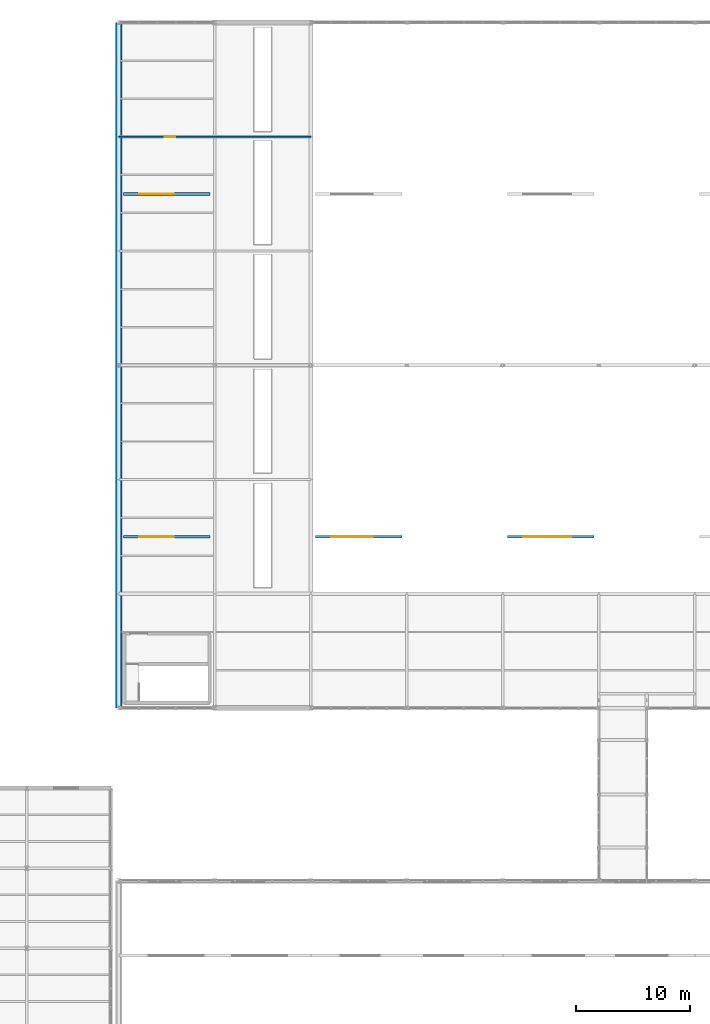
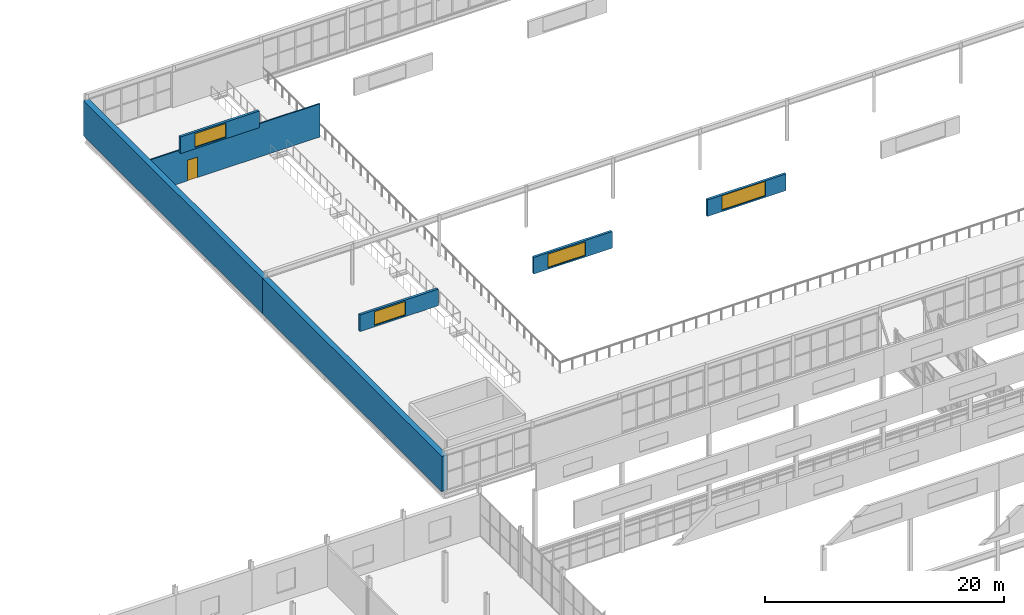
# One storey, part 203 of 218: 7 walls, 4 windows, 1 door, 5 openings.
"""IFC4 building model written with IfcOpenShell, lengths in metres."""

from ifc_helpers import new_model, si_unit, direction, frame, frame_2d, origin, place, context, subcontext, project, spatial, rectangle, extrude, material, layer, layer_set, type_object, element, fill, save


model = new_model("IFC4")

# Units and contexts
model_context = context("Model", 3, precision=1e-05, world=origin(), true_north=direction((0.0, 1.0)))
body_context = subcontext(model_context, "Body", "Model", "MODEL_VIEW")
ifc_project = project(units=[si_unit("LENGTHUNIT", "METRE"), si_unit("AREAUNIT", "SQUARE_METRE"), si_unit("VOLUMEUNIT", "CUBIC_METRE"), si_unit("PLANEANGLEUNIT", "RADIAN"), si_unit("MASSUNIT", "GRAM", prefix="KILO")], contexts=[model_context])

# Site, building, storey
site_placement = place(None, origin())
site = spatial("IfcSite", under=ifc_project, at=site_placement, CompositionType="ELEMENT")
building_placement = place(site_placement, origin())
building = spatial("IfcBuilding", under=site, at=building_placement, Name="Kazenagashi Tramway Depot", CompositionType="ELEMENT")
storey_placement = place(building_placement, frame((0.0, 0.0, 6.0)))
storey = spatial("IfcBuildingStorey", under=building, at=storey_placement, Name="L02", CompositionType="ELEMENT", Elevation=6.0)

# Walls
ifc_material_1 = material(Name="Clinker Brick Masonry JIS R 1250 Class 1 (24 MPa)", Category="masonry")
ifc_layer_1 = layer(ifc_material_1, 0.54)
ifc_layer_set_1 = layer_set([ifc_layer_1], Name="Clinker Brick Masonry JIS R 1250 Class 1 (24 MPa)")
wall_type_1 = type_object("IfcWallType", Name="W-BK4", PredefinedType="SOLIDWALL", material=ifc_layer_set_1)
for number, where, z_axis, x_axis, name in (
    (1, (44.8, 70.0, 0.0), (0.0, 0.0, 1.0), (0.0, 1.0, 0.0), "Exterior Brick Wall W-BK4 EWALL-0003"),
    (2, (44.8, 100.0, 0.0), (0.0, 0.0, 1.0), (0.0, 1.0, 0.0), "Exterior Brick Wall W-BK4 EWALL-0004"),
):
    element("IfcWall", number, at=place(storey_placement, frame(where, z_axis=z_axis, x_axis=x_axis)), inside=storey, type_object=wall_type_1, Name=name, PredefinedType="SOLIDWALL", context=body_context, shape_type="SweptSolid", body=[
        extrude(rectangle(XDim=30.0, YDim=0.54, at=frame_2d((15.0, 0.0))), origin(), (0.0, 0.0, 1.0), 3.6),
    ])

# Wall, opening, window
ifc_material_2 = material(Name="Galvanised Steel Sheet Insulated Monitor Wall", Category="steel")
ifc_layer_2 = layer(ifc_material_2, 0.24)
ifc_layer_set_2 = layer_set([ifc_layer_2], Name="Galvanised Steel Sheet Insulated Monitor Wall")
wall_type_2 = type_object("IfcWallType", Name="W-MN1", PredefinedType="SOLIDWALL", material=ifc_layer_set_2)
wall_1_placement = place(storey_placement, frame((45.2, 85.0, 7.1), z_axis=(0.0, 0.0, 1.0), x_axis=(1.0, 0.0, 0.0)))
wall_1 = element("IfcWall", 3, at=wall_1_placement, inside=storey, type_object=wall_type_2, Name="Exterior Brick Wall W-MN1 EWALL-0050", PredefinedType="SOLIDWALL", context=body_context, shape_type="SweptSolid", body=[
    extrude(rectangle(XDim=7.6, YDim=0.24, at=frame_2d((3.8, 0.0))), origin(), (0.0, 0.0, 1.0), 1.7),
])
opening_1_placement = place(wall_1_placement, frame((1.4, 0.0, 0.15)))
opening_1 = element("IfcOpeningElement", 4, at=opening_1_placement, cuts=wall_1, Name="Opening SK-01", PredefinedType="OPENING", context=body_context, shape_type="SweptSolid", body=[
    extrude(rectangle(XDim=3.0, YDim=1.4, at=frame_2d((1.5, 0.7))), frame((0.0, 0.13, 0.0), z_axis=(0.0, -1.0, 0.0), x_axis=(1.0, 0.0, 0.0)), (0.0, 0.0, 1.0), 0.26),
])
ifc_material_3 = material(Name="Wired Fire-Rated Glass and Aluminium Frame", Category="aluminium")
window_type_1 = type_object("IfcWindowType", Name="SK-01", PartitioningType="SINGLE_PANEL", PredefinedType="SKYLIGHT", material=ifc_material_3)
window_1_placement = place(opening_1_placement, origin())
window_1 = element("IfcWindow", 5, at=window_1_placement, inside=storey, type_object=window_type_1, Name="Window SK-01 WIN-0027", OverallHeight=1.4, OverallWidth=3.0, PartitioningType="SINGLE_PANEL", PredefinedType="SKYLIGHT", context=body_context, shape_type="SweptSolid", body=[
    extrude(rectangle(XDim=3.0, YDim=1.4, at=frame_2d((1.5, 0.7))), frame((0.0, 0.03, 0.0), z_axis=(0.0, -1.0, 0.0), x_axis=(1.0, 0.0, 0.0)), (0.0, 0.0, 1.0), 0.06),
])
fill(opening_1, window_1)

wall_2_placement = place(storey_placement, frame((62.0, 85.0, 7.1), z_axis=(0.0, 0.0, 1.0), x_axis=(1.0, 0.0, 0.0)))
wall_2 = element("IfcWall", 6, at=wall_2_placement, inside=storey, type_object=wall_type_2, Name="Exterior Brick Wall W-MN1 EWALL-0051", PredefinedType="SOLIDWALL", context=body_context, shape_type="SweptSolid", body=[
    extrude(rectangle(XDim=7.6, YDim=0.24, at=frame_2d((3.8, 0.0))), origin(), (0.0, 0.0, 1.0), 1.7),
])
opening_2_placement = place(wall_2_placement, frame((1.4, 0.0, 0.15)))
opening_2 = element("IfcOpeningElement", 7, at=opening_2_placement, cuts=wall_2, Name="Opening SK-02", PredefinedType="OPENING", context=body_context, shape_type="SweptSolid", body=[
    extrude(rectangle(XDim=3.6, YDim=1.4, at=frame_2d((1.8, 0.7))), frame((0.0, 0.13, 0.0), z_axis=(0.0, -1.0, 0.0), x_axis=(1.0, 0.0, 0.0)), (0.0, 0.0, 1.0), 0.26),
])
window_type_2 = type_object("IfcWindowType", Name="SK-02", PartitioningType="SINGLE_PANEL", PredefinedType="SKYLIGHT", material=ifc_material_3)
window_2_placement = place(opening_2_placement, origin())
window_2 = element("IfcWindow", 8, at=window_2_placement, inside=storey, type_object=window_type_2, Name="Window SK-02 WIN-0028", OverallHeight=1.4, OverallWidth=3.6, PartitioningType="SINGLE_PANEL", PredefinedType="SKYLIGHT", context=body_context, shape_type="SweptSolid", body=[
    extrude(rectangle(XDim=3.6, YDim=1.4, at=frame_2d((1.8, 0.7))), frame((0.0, 0.03, 0.0), z_axis=(0.0, -1.0, 0.0), x_axis=(1.0, 0.0, 0.0)), (0.0, 0.0, 1.0), 0.06),
])
fill(opening_2, window_2)

wall_3_placement = place(storey_placement, frame((78.8, 85.0, 7.1), z_axis=(0.0, 0.0, 1.0), x_axis=(1.0, 0.0, 0.0)))
wall_3 = element("IfcWall", 9, at=wall_3_placement, inside=storey, type_object=wall_type_2, Name="Exterior Brick Wall W-MN1 EWALL-0052", PredefinedType="SOLIDWALL", context=body_context, shape_type="SweptSolid", body=[
    extrude(rectangle(XDim=7.6, YDim=0.24, at=frame_2d((3.8, 0.0))), origin(), (0.0, 0.0, 1.0), 1.7),
])
opening_3_placement = place(wall_3_placement, frame((1.4, 0.0, 0.15)))
opening_3 = element("IfcOpeningElement", 10, at=opening_3_placement, cuts=wall_3, Name="Opening SK-03", PredefinedType="OPENING", context=body_context, shape_type="SweptSolid", body=[
    extrude(rectangle(XDim=4.2, YDim=1.5, at=frame_2d((2.1, 0.75))), frame((0.0, 0.13, 0.0), z_axis=(0.0, -1.0, 0.0), x_axis=(1.0, 0.0, 0.0)), (0.0, 0.0, 1.0), 0.26),
])
window_type_3 = type_object("IfcWindowType", Name="SK-03", PartitioningType="SINGLE_PANEL", PredefinedType="SKYLIGHT", material=ifc_material_3)
window_3_placement = place(opening_3_placement, origin())
window_3 = element("IfcWindow", 11, at=window_3_placement, inside=storey, type_object=window_type_3, Name="Window SK-03 WIN-0029", OverallHeight=1.5, OverallWidth=4.2, PartitioningType="SINGLE_PANEL", PredefinedType="SKYLIGHT", context=body_context, shape_type="SweptSolid", body=[
    extrude(rectangle(XDim=4.2, YDim=1.5, at=frame_2d((2.1, 0.75))), frame((0.0, 0.03, 0.0), z_axis=(0.0, -1.0, 0.0), x_axis=(1.0, 0.0, 0.0)), (0.0, 0.0, 1.0), 0.06),
])
fill(opening_3, window_3)

wall_4_placement = place(storey_placement, frame((45.2, 115.0, 7.1), z_axis=(0.0, 0.0, 1.0), x_axis=(1.0, 0.0, 0.0)))
wall_4 = element("IfcWall", 12, at=wall_4_placement, inside=storey, type_object=wall_type_2, Name="Exterior Brick Wall W-MN1 EWALL-0059", PredefinedType="SOLIDWALL", context=body_context, shape_type="SweptSolid", body=[
    extrude(rectangle(XDim=7.6, YDim=0.24, at=frame_2d((3.8, 0.0))), origin(), (0.0, 0.0, 1.0), 1.7),
])
opening_4_placement = place(wall_4_placement, frame((1.4, 0.0, 0.15)))
opening_4 = element("IfcOpeningElement", 13, at=opening_4_placement, cuts=wall_4, Name="Opening SK-01", PredefinedType="OPENING", context=body_context, shape_type="SweptSolid", body=[
    extrude(rectangle(XDim=3.0, YDim=1.4, at=frame_2d((1.5, 0.7))), frame((0.0, 0.13, 0.0), z_axis=(0.0, -1.0, 0.0), x_axis=(1.0, 0.0, 0.0)), (0.0, 0.0, 1.0), 0.26),
])
window_4_placement = place(opening_4_placement, origin())
window_4 = element("IfcWindow", 14, at=window_4_placement, inside=storey, type_object=window_type_1, Name="Window SK-01 WIN-0036", OverallHeight=1.4, OverallWidth=3.0, PartitioningType="SINGLE_PANEL", PredefinedType="SKYLIGHT", context=body_context, shape_type="SweptSolid", body=[
    extrude(rectangle(XDim=3.0, YDim=1.4, at=frame_2d((1.5, 0.7))), frame((0.0, 0.03, 0.0), z_axis=(0.0, -1.0, 0.0), x_axis=(1.0, 0.0, 0.0)), (0.0, 0.0, 1.0), 0.06),
])
fill(opening_4, window_4)

# Wall, opening, door
ifc_material_4 = material(Name="Gypsum Plasterboard Partition", Category="gypsum")
ifc_layer_3 = layer(ifc_material_4, 0.125)
ifc_layer_set_3 = layer_set([ifc_layer_3], Name="Gypsum Plasterboard Partition")
wall_type_3 = type_object("IfcWallType", Name="W-PT2", PredefinedType="PARTITIONING", material=ifc_layer_set_3)
wall_5_placement = place(storey_placement, frame((44.8, 120.0, 0.0), z_axis=(0.0, 0.0, 1.0), x_axis=(1.0, 0.0, 0.0)))
wall_5 = element("IfcWall", 15, at=wall_5_placement, inside=storey, type_object=wall_type_3, Name="Interior Partition W-PT2 IWALL-0261", PredefinedType="PARTITIONING", context=body_context, shape_type="SweptSolid", body=[
    extrude(rectangle(XDim=16.8, YDim=0.125, at=frame_2d((8.4, 0.0))), origin(), (0.0, 0.0, 1.0), 3.4),
])
opening_5_placement = place(wall_5_placement, frame((4.0, 0.0, 0.0)))
opening_5 = element("IfcOpeningElement", 16, at=opening_5_placement, cuts=wall_5, Name="Opening D-165", PredefinedType="OPENING", context=body_context, shape_type="SweptSolid", body=[
    extrude(rectangle(XDim=0.95, YDim=2.1, at=frame_2d((0.475, 1.05))), frame((0.0, 0.0725, 0.0), z_axis=(0.0, -1.0, 0.0), x_axis=(1.0, 0.0, 0.0)), (0.0, 0.0, 1.0), 0.145),
])
ifc_material_5 = material(Name="Powder-Coated Steel Door", Category="steel")
door_type = type_object("IfcDoorType", Name="DT-09", OperationType="NOTDEFINED", PredefinedType="DOOR", material=ifc_material_5)
door_placement = place(opening_5_placement, origin())
door = element("IfcDoor", 17, at=door_placement, inside=storey, type_object=door_type, Name="Interior Door D-165", OperationType="SINGLE_SWING_RIGHT", OverallHeight=2.1, OverallWidth=0.95, PredefinedType="DOOR", context=body_context, shape_type="SweptSolid", body=[
    extrude(rectangle(XDim=0.95, YDim=2.1, at=frame_2d((0.475, 1.05))), frame((0.0, 0.025, 0.0), z_axis=(0.0, -1.0, 0.0), x_axis=(1.0, 0.0, 0.0)), (0.0, 0.0, 1.0), 0.05),
])
fill(opening_5, door)

save(model, "model.ifc")
